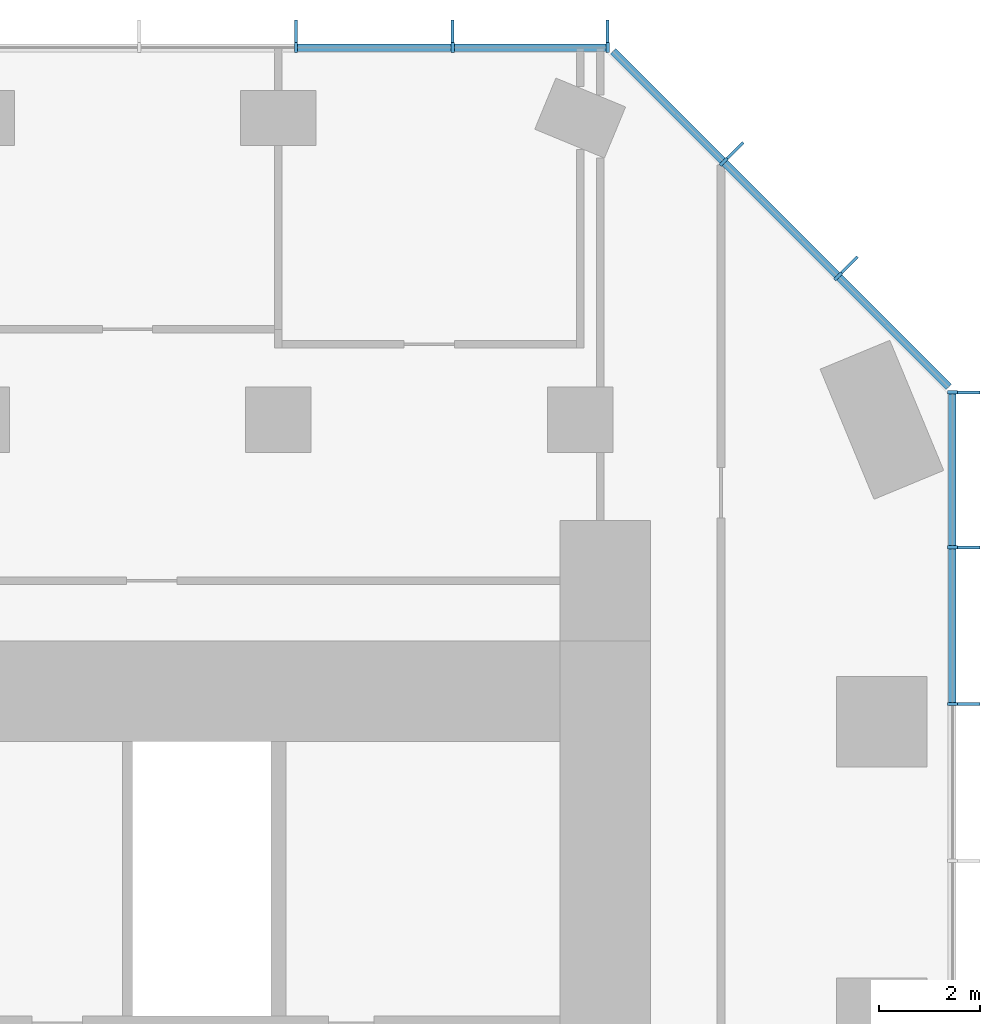
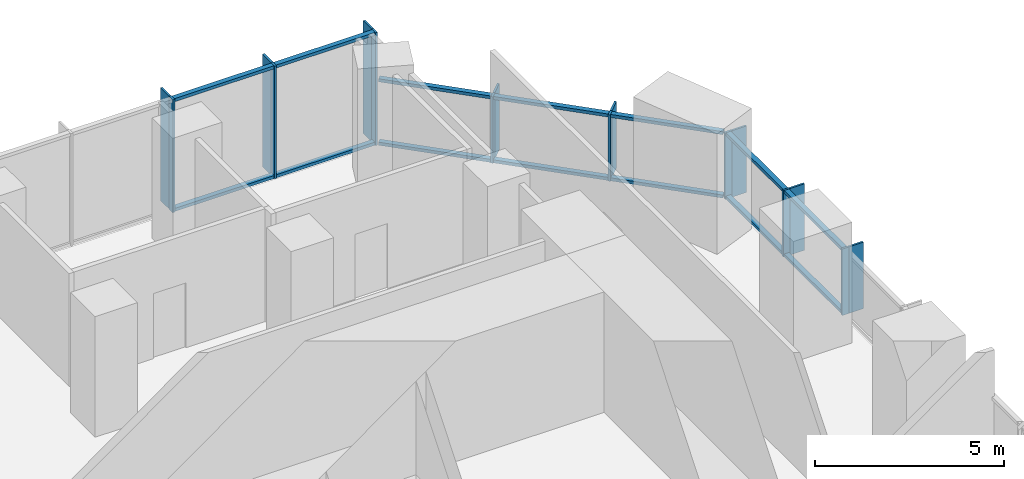
# One storey, part 6 of 11: 30 members, 3 elements without a shape of their own.
"""IFC4 building model written with IfcOpenShell, lengths in metres."""

from ifc_helpers import new_model, si_unit, direction, frame, origin, origin_2d, place, context, subcontext, project, spatial, rectangle, extrude, material, layer, layer_set, material_profile, profile_set, type_object, element, aggregate, save


model = new_model("IFC4")

# Units and contexts
model_context = context("Model", 3, precision=1e-05, world=origin(), true_north=direction((0.0, 1.0)))
body_context = subcontext(model_context, "Body", "Model", "MODEL_VIEW")
ifc_project = project(units=[si_unit("LENGTHUNIT", "METRE"), si_unit("AREAUNIT", "SQUARE_METRE"), si_unit("VOLUMEUNIT", "CUBIC_METRE"), si_unit("PLANEANGLEUNIT", "RADIAN"), si_unit("MASSUNIT", "GRAM", prefix="KILO")], contexts=[model_context])

# Site, building, storey
site_placement = place(None, origin())
site = spatial("IfcSite", under=ifc_project, at=site_placement, CompositionType="ELEMENT")
building_placement = place(site_placement, origin())
building = spatial("IfcBuilding", under=site, at=building_placement, Name="Highveld Stack Headquarters", CompositionType="ELEMENT")
storey_placement = place(building_placement, frame((0.0, 0.0, 235.699951171875)))
storey = spatial("IfcBuildingStorey", under=building, at=storey_placement, Name="L58", CompositionType="ELEMENT", Elevation=235.699951171875)

# Curtain wall, members
ifc_material_1 = material(Name="Aluminium bronze anodised", Category="aluminium")
ifc_layer_1 = layer(ifc_material_1, 0.199951171875)
ifc_layer_set_1 = layer_set([ifc_layer_1], Name="Aluminium bronze anodised")
curtain_wall_type_1 = type_object("IfcCurtainWallType", Name="CW1 TOWER UNITISED CURTAIN WALL", PredefinedType="NOTDEFINED", material=ifc_layer_set_1)
curtain_wall_1_placement = place(storey_placement, origin())
curtain_wall_1 = element("IfcCurtainWall", 1, at=curtain_wall_1_placement, inside=storey, type_object=curtain_wall_type_1, Name="Curtain wall CW1 L58 E", PredefinedType="NOTDEFINED")
ifc_material_2 = material(Name="Aluminium bronze anodised", Category="aluminium")
ifc_material_profile_1 = material_profile(ifc_material_2, rectangle(XDim=0.449951171875, YDim=0.06005859375, at=origin_2d()), Name="FIN 450x60")
ifc_profile_set_1 = profile_set([ifc_material_profile_1], Name="Aluminium bronze anodised")
member_type_1 = type_object("IfcMemberType", Name="CW1 BRONZE FIN 450x60", PredefinedType="USERDEFINED", material=ifc_profile_set_1)
member_1_placement = place(storey_placement, frame((25.72509765625, 12.347900390625, 0.0), z_axis=(0.0, 0.0, 1.0), x_axis=(-1.0, 0.0, 0.0)))
member_1 = element("IfcMember", 2, at=member_1_placement, type_object=member_type_1, Name="CW1 fin L58 9", ObjectType="FIN", PredefinedType="USERDEFINED", context=body_context, shape_type="SweptSolid", body=[
    extrude(rectangle(XDim=0.449951171875, YDim=0.06005859375, at=origin_2d()), origin(), (0.0, 0.0, 1.0), 2.150146484375),
])
member_2_placement = place(storey_placement, frame((25.72509765625, 15.4638671875, 0.0), z_axis=(0.0, 0.0, 1.0), x_axis=(-1.0, 0.0, 0.0)))
member_2 = element("IfcMember", 3, at=member_2_placement, type_object=member_type_1, Name="CW1 fin L58 10", ObjectType="FIN", PredefinedType="USERDEFINED", context=body_context, shape_type="SweptSolid", body=[
    extrude(rectangle(XDim=0.449951171875, YDim=0.06005859375, at=origin_2d()), origin(), (0.0, 0.0, 1.0), 2.150146484375),
])
member_3_placement = place(storey_placement, frame((25.72509765625, 18.54736328125, 0.0), z_axis=(0.0, 0.0, 1.0), x_axis=(-1.0, 0.0, 0.0)))
member_3 = element("IfcMember", 4, at=member_3_placement, type_object=member_type_1, Name="CW1 fin L58 11", ObjectType="FIN", PredefinedType="USERDEFINED", context=body_context, shape_type="SweptSolid", body=[
    extrude(rectangle(XDim=0.449951171875, YDim=0.06005859375, at=origin_2d()), origin(), (0.0, 0.0, 1.0), 2.150146484375),
])

curtain_wall_2_placement = place(storey_placement, origin())
curtain_wall_2 = element("IfcCurtainWall", 5, at=curtain_wall_2_placement, inside=storey, type_object=curtain_wall_type_1, Name="Curtain wall CW1 L58 N", PredefinedType="NOTDEFINED")
member_4_placement = place(storey_placement, frame((18.54736328125, 25.72509765625, 0.0), z_axis=(0.0, 0.0, 1.0), x_axis=(0.0, -1.0, 0.0)))
member_4 = element("IfcMember", 6, at=member_4_placement, type_object=member_type_1, Name="CW1 fin L58 1", ObjectType="FIN", PredefinedType="USERDEFINED", context=body_context, shape_type="SweptSolid", body=[
    extrude(rectangle(XDim=0.449951171875, YDim=0.06005859375, at=origin_2d()), origin(), (0.0, 0.0, 1.0), 3.650146484375),
])
member_5_placement = place(storey_placement, frame((15.4638671875, 25.72509765625, 0.0), z_axis=(0.0, 0.0, 1.0), x_axis=(0.0, -1.0, 0.0)))
member_5 = element("IfcMember", 7, at=member_5_placement, type_object=member_type_1, Name="CW1 fin L58 2", ObjectType="FIN", PredefinedType="USERDEFINED", context=body_context, shape_type="SweptSolid", body=[
    extrude(rectangle(XDim=0.449951171875, YDim=0.06005859375, at=origin_2d()), origin(), (0.0, 0.0, 1.0), 3.650146484375),
])
member_6_placement = place(storey_placement, frame((12.347900390625, 25.72509765625, 0.0), z_axis=(0.0, 0.0, 1.0), x_axis=(0.0, -1.0, 0.0)))
member_6 = element("IfcMember", 8, at=member_6_placement, type_object=member_type_1, Name="CW1 fin L58 3", ObjectType="FIN", PredefinedType="USERDEFINED", context=body_context, shape_type="SweptSolid", body=[
    extrude(rectangle(XDim=0.449951171875, YDim=0.06005859375, at=origin_2d()), origin(), (0.0, 0.0, 1.0), 3.650146484375),
])

# Member
ifc_material_3 = material(Name="Aluminium bronze anodised", Category="aluminium")
ifc_material_profile_2 = material_profile(ifc_material_3, rectangle(XDim=0.199951171875, YDim=0.06494140625, at=origin_2d()), Name="CW1 MULLION 65x200")
ifc_profile_set_2 = profile_set([ifc_material_profile_2], Name="Aluminium bronze anodised")
member_type_2 = type_object("IfcMemberType", Name="CW1 MULLION 65x200", PredefinedType="MULLION", material=ifc_profile_set_2)
member_7_placement = place(storey_placement, frame((25.39990234375, 12.347900390625, 0.0), z_axis=(0.0, 0.0, 1.0), x_axis=(-1.0, 0.0, 0.0)))
member_7 = element("IfcMember", 9, at=member_7_placement, type_object=member_type_2, Name="CW1 mullion L58 9", PredefinedType="MULLION", context=body_context, shape_type="SweptSolid", body=[
    extrude(rectangle(XDim=0.199951171875, YDim=0.06494140625, at=origin_2d()), origin(), (0.0, 0.0, 1.0), 2.150146484375),
])

member_8_placement = place(storey_placement, frame((25.39990234375, 15.4638671875, 0.0), z_axis=(0.0, 0.0, 1.0), x_axis=(-1.0, 0.0, 0.0)))
member_8 = element("IfcMember", 10, at=member_8_placement, type_object=member_type_2, Name="CW1 mullion L58 10", PredefinedType="MULLION", context=body_context, shape_type="SweptSolid", body=[
    extrude(rectangle(XDim=0.199951171875, YDim=0.06494140625, at=origin_2d()), origin(), (0.0, 0.0, 1.0), 2.150146484375),
])

member_9_placement = place(storey_placement, frame((25.39990234375, 18.54736328125, 0.0), z_axis=(0.0, 0.0, 1.0), x_axis=(-1.0, 0.0, 0.0)))
member_9 = element("IfcMember", 11, at=member_9_placement, type_object=member_type_2, Name="CW1 mullion L58 11", PredefinedType="MULLION", context=body_context, shape_type="SweptSolid", body=[
    extrude(rectangle(XDim=0.199951171875, YDim=0.06494140625, at=origin_2d()), origin(), (0.0, 0.0, 1.0), 2.150146484375),
])

member_10_placement = place(storey_placement, frame((18.54736328125, 25.39990234375, 0.0), z_axis=(0.0, 0.0, 1.0), x_axis=(0.0, -1.0, 0.0)))
member_10 = element("IfcMember", 12, at=member_10_placement, type_object=member_type_2, Name="CW1 mullion L58 1", PredefinedType="MULLION", context=body_context, shape_type="SweptSolid", body=[
    extrude(rectangle(XDim=0.199951171875, YDim=0.06494140625, at=origin_2d()), origin(), (0.0, 0.0, 1.0), 3.650146484375),
])

member_11_placement = place(storey_placement, frame((15.4638671875, 25.39990234375, 0.0), z_axis=(0.0, 0.0, 1.0), x_axis=(0.0, -1.0, 0.0)))
member_11 = element("IfcMember", 13, at=member_11_placement, type_object=member_type_2, Name="CW1 mullion L58 2", PredefinedType="MULLION", context=body_context, shape_type="SweptSolid", body=[
    extrude(rectangle(XDim=0.199951171875, YDim=0.06494140625, at=origin_2d()), origin(), (0.0, 0.0, 1.0), 3.650146484375),
])

member_12_placement = place(storey_placement, frame((12.347900390625, 25.39990234375, 0.0), z_axis=(0.0, 0.0, 1.0), x_axis=(0.0, -1.0, 0.0)))
member_12 = element("IfcMember", 14, at=member_12_placement, type_object=member_type_2, Name="CW1 mullion L58 3", PredefinedType="MULLION", context=body_context, shape_type="SweptSolid", body=[
    extrude(rectangle(XDim=0.199951171875, YDim=0.06494140625, at=origin_2d()), origin(), (0.0, 0.0, 1.0), 3.650146484375),
])

ifc_material_4 = material(Name="Aluminium bronze anodised", Category="aluminium")
ifc_material_profile_3 = material_profile(ifc_material_4, rectangle(XDim=0.14990234375, YDim=0.10009765625, at=origin_2d()), Name="CW1 TRANSOM 150x100")
ifc_profile_set_3 = profile_set([ifc_material_profile_3], Name="Aluminium bronze anodised")
member_type_3 = type_object("IfcMemberType", Name="CW1 STACK TRANSOM 150x100", PredefinedType="USERDEFINED", material=ifc_profile_set_3)
member_13_placement = place(storey_placement, frame((25.39990234375, 12.38037109375, 0.050048828125), z_axis=(0.0, 1.0, 0.0), x_axis=(-1.0, 0.0, 0.0)))
member_13 = element("IfcMember", 15, at=member_13_placement, type_object=member_type_3, Name="CW1 transom L58 9.1", ObjectType="TRANSOM", PredefinedType="USERDEFINED", context=body_context, shape_type="SweptSolid", body=[
    extrude(rectangle(XDim=0.14990234375, YDim=0.10009765625, at=origin_2d()), origin(), (0.0, 0.0, 1.0), 3.051025390625),
])

member_14_placement = place(storey_placement, frame((25.39990234375, 12.38037109375, 2.10009765625), z_axis=(0.0, 1.0, 0.0), x_axis=(-1.0, 0.0, 0.0)))
member_14 = element("IfcMember", 16, at=member_14_placement, type_object=member_type_3, Name="CW1 transom L58 9.2", ObjectType="TRANSOM", PredefinedType="USERDEFINED", context=body_context, shape_type="SweptSolid", body=[
    extrude(rectangle(XDim=0.14990234375, YDim=0.10009765625, at=origin_2d()), origin(), (0.0, 0.0, 1.0), 3.051025390625),
])

member_15_placement = place(storey_placement, frame((25.39990234375, 15.496337890625, 0.050048828125), z_axis=(0.0, 1.0, 0.0), x_axis=(-1.0, 0.0, 0.0)))
member_15 = element("IfcMember", 17, at=member_15_placement, type_object=member_type_3, Name="CW1 transom L58 10.1", ObjectType="TRANSOM", PredefinedType="USERDEFINED", context=body_context, shape_type="SweptSolid", body=[
    extrude(rectangle(XDim=0.14990234375, YDim=0.10009765625, at=origin_2d()), origin(), (0.0, 0.0, 1.0), 3.0185546875),
])

member_16_placement = place(storey_placement, frame((25.39990234375, 15.496337890625, 2.10009765625), z_axis=(0.0, 1.0, 0.0), x_axis=(-1.0, 0.0, 0.0)))
member_16 = element("IfcMember", 18, at=member_16_placement, type_object=member_type_3, Name="CW1 transom L58 10.2", ObjectType="TRANSOM", PredefinedType="USERDEFINED", context=body_context, shape_type="SweptSolid", body=[
    extrude(rectangle(XDim=0.14990234375, YDim=0.10009765625, at=origin_2d()), origin(), (0.0, 0.0, 1.0), 3.0185546875),
])

aggregate(curtain_wall_1, [member_7, member_1, member_8, member_2, member_9, member_3, member_13, member_14, member_15, member_16])

member_17_placement = place(storey_placement, frame((18.514892578125, 25.39990234375, 0.050048828125), z_axis=(-1.0, 0.0, 0.0), x_axis=(0.0, -1.0, 0.0)))
member_17 = element("IfcMember", 19, at=member_17_placement, type_object=member_type_3, Name="CW1 transom L58 1.1", ObjectType="TRANSOM", PredefinedType="USERDEFINED", context=body_context, shape_type="SweptSolid", body=[
    extrude(rectangle(XDim=0.14990234375, YDim=0.10009765625, at=origin_2d()), origin(), (0.0, 0.0, 1.0), 3.0185546875),
])

member_18_placement = place(storey_placement, frame((18.514892578125, 25.39990234375, 3.60009765625), z_axis=(-1.0, 0.0, 0.0), x_axis=(0.0, -1.0, 0.0)))
member_18 = element("IfcMember", 20, at=member_18_placement, type_object=member_type_3, Name="CW1 transom L58 1.2", ObjectType="TRANSOM", PredefinedType="USERDEFINED", context=body_context, shape_type="SweptSolid", body=[
    extrude(rectangle(XDim=0.14990234375, YDim=0.10009765625, at=origin_2d()), origin(), (0.0, 0.0, 1.0), 3.0185546875),
])

member_19_placement = place(storey_placement, frame((15.431396484375, 25.39990234375, 0.050048828125), z_axis=(-1.0, 0.0, 0.0), x_axis=(0.0, -1.0, 0.0)))
member_19 = element("IfcMember", 21, at=member_19_placement, type_object=member_type_3, Name="CW1 transom L58 2.1", ObjectType="TRANSOM", PredefinedType="USERDEFINED", context=body_context, shape_type="SweptSolid", body=[
    extrude(rectangle(XDim=0.14990234375, YDim=0.10009765625, at=origin_2d()), origin(), (0.0, 0.0, 1.0), 3.051025390625),
])

member_20_placement = place(storey_placement, frame((15.431396484375, 25.39990234375, 3.60009765625), z_axis=(-1.0, 0.0, 0.0), x_axis=(0.0, -1.0, 0.0)))
member_20 = element("IfcMember", 22, at=member_20_placement, type_object=member_type_3, Name="CW1 transom L58 2.2", ObjectType="TRANSOM", PredefinedType="USERDEFINED", context=body_context, shape_type="SweptSolid", body=[
    extrude(rectangle(XDim=0.14990234375, YDim=0.10009765625, at=origin_2d()), origin(), (0.0, 0.0, 1.0), 3.051025390625),
])

aggregate(curtain_wall_2, [member_10, member_4, member_11, member_5, member_12, member_6, member_17, member_18, member_19, member_20])

# Curtain wall, members
ifc_material_5 = material(Name="Aluminium bronze anodised", Category="aluminium")
ifc_layer_2 = layer(ifc_material_5, 0.199951171875)
ifc_layer_set_2 = layer_set([ifc_layer_2], Name="Aluminium bronze anodised")
curtain_wall_type_2 = type_object("IfcCurtainWallType", Name="CW2 TOWER CHAMFER UNITISED CURTAIN WALL", PredefinedType="NOTDEFINED", material=ifc_layer_set_2)
curtain_wall_3_placement = place(storey_placement, origin())
curtain_wall_3 = element("IfcCurtainWall", 23, at=curtain_wall_3_placement, inside=storey, type_object=curtain_wall_type_2, Name="Curtain wall CW2 L58 NE", PredefinedType="NOTDEFINED")
ifc_material_6 = material(Name="Aluminium bronze anodised", Category="aluminium")
ifc_material_profile_4 = material_profile(ifc_material_6, rectangle(XDim=0.449951171875, YDim=0.06005859375, at=origin_2d()), Name="FIN 450x60")
ifc_profile_set_4 = profile_set([ifc_material_profile_4], Name="Aluminium bronze anodised")
member_type_4 = type_object("IfcMemberType", Name="CW2 BRONZE FIN 450x60", PredefinedType="USERDEFINED", material=ifc_profile_set_4)
member_21_placement = place(storey_placement, frame((23.3564453125, 21.0830078125, 0.0), z_axis=(0.0, 0.0, 1.0), x_axis=(-0.707106781187, -0.707106781187, 0.0)))
member_21 = element("IfcMember", 24, at=member_21_placement, type_object=member_type_4, Name="CW2 fin L58 1", ObjectType="FIN", PredefinedType="USERDEFINED", context=body_context, shape_type="SweptSolid", body=[
    extrude(rectangle(XDim=0.449951171875, YDim=0.06005859375, at=origin_2d()), origin(), (0.0, 0.0, 1.0), 2.150146484375),
])
member_22_placement = place(storey_placement, frame((21.0830078125, 23.3564453125, 0.0), z_axis=(0.0, 0.0, 1.0), x_axis=(-0.707106781187, -0.707106781187, 0.0)))
member_22 = element("IfcMember", 25, at=member_22_placement, type_object=member_type_4, Name="CW2 fin L58 2", ObjectType="FIN", PredefinedType="USERDEFINED", context=body_context, shape_type="SweptSolid", body=[
    extrude(rectangle(XDim=0.449951171875, YDim=0.06005859375, at=origin_2d()), origin(), (0.0, 0.0, 1.0), 2.150146484375),
])
ifc_material_7 = material(Name="Aluminium bronze anodised", Category="aluminium")
ifc_material_profile_5 = material_profile(ifc_material_7, rectangle(XDim=0.199951171875, YDim=0.06494140625, at=origin_2d()), Name="CW2 MULLION 65x200")
ifc_profile_set_5 = profile_set([ifc_material_profile_5], Name="Aluminium bronze anodised")
member_type_5 = type_object("IfcMemberType", Name="CW2 MULLION 65x200", PredefinedType="MULLION", material=ifc_profile_set_5)
member_23_placement = place(storey_placement, frame((23.126708984375, 20.853271484375, 0.0), z_axis=(0.0, 0.0, 1.0), x_axis=(-0.707106781187, -0.707106781187, 0.0)))
member_23 = element("IfcMember", 26, at=member_23_placement, type_object=member_type_5, Name="CW2 mullion L58 1", PredefinedType="MULLION", context=body_context, shape_type="SweptSolid", body=[
    extrude(rectangle(XDim=0.199951171875, YDim=0.06494140625, at=origin_2d()), origin(), (0.0, 0.0, 1.0), 2.150146484375),
])
member_24_placement = place(storey_placement, frame((20.853271484375, 23.126708984375, 0.0), z_axis=(0.0, 0.0, 1.0), x_axis=(-0.707106781187, -0.707106781187, 0.0)))
member_24 = element("IfcMember", 27, at=member_24_placement, type_object=member_type_5, Name="CW2 mullion L58 2", PredefinedType="MULLION", context=body_context, shape_type="SweptSolid", body=[
    extrude(rectangle(XDim=0.199951171875, YDim=0.06494140625, at=origin_2d()), origin(), (0.0, 0.0, 1.0), 2.150146484375),
])
ifc_material_8 = material(Name="Aluminium bronze anodised", Category="aluminium")
ifc_material_profile_6 = material_profile(ifc_material_8, rectangle(XDim=0.14990234375, YDim=0.10009765625, at=origin_2d()), Name="CW2 TRANSOM 150x100")
ifc_profile_set_6 = profile_set([ifc_material_profile_6], Name="Aluminium bronze anodised")
member_type_6 = type_object("IfcMemberType", Name="CW2 STACK TRANSOM 150x100", PredefinedType="USERDEFINED", material=ifc_profile_set_6)
member_25_placement = place(storey_placement, frame((25.329345703125, 18.650634765625, 0.050048828125), z_axis=(-0.707106781187, 0.707106781187, 0.0), x_axis=(-0.707106781187, -0.707106781187, 0.0)))
member_25 = element("IfcMember", 28, at=member_25_placement, type_object=member_type_6, Name="CW2 transom L58 1.1", ObjectType="TRANSOM", PredefinedType="USERDEFINED", context=body_context, shape_type="SweptSolid", body=[
    extrude(rectangle(XDim=0.14990234375, YDim=0.10009765625, at=origin_2d()), origin(), (0.0, 0.0, 1.0), 3.08251953125),
])
member_26_placement = place(storey_placement, frame((25.329345703125, 18.650634765625, 2.10009765625), z_axis=(-0.707106781187, 0.707106781187, 0.0), x_axis=(-0.707106781187, -0.707106781187, 0.0)))
member_26 = element("IfcMember", 29, at=member_26_placement, type_object=member_type_6, Name="CW2 transom L58 1.2", ObjectType="TRANSOM", PredefinedType="USERDEFINED", context=body_context, shape_type="SweptSolid", body=[
    extrude(rectangle(XDim=0.14990234375, YDim=0.10009765625, at=origin_2d()), origin(), (0.0, 0.0, 1.0), 3.08251953125),
])
member_27_placement = place(storey_placement, frame((23.103759765625, 20.876220703125, 0.050048828125), z_axis=(-0.707106781187, 0.707106781187, 0.0), x_axis=(-0.707106781187, -0.707106781187, 0.0)))
member_27 = element("IfcMember", 30, at=member_27_placement, type_object=member_type_6, Name="CW2 transom L58 2.1", ObjectType="TRANSOM", PredefinedType="USERDEFINED", context=body_context, shape_type="SweptSolid", body=[
    extrude(rectangle(XDim=0.14990234375, YDim=0.10009765625, at=origin_2d()), origin(), (0.0, 0.0, 1.0), 3.150146484375),
])
member_28_placement = place(storey_placement, frame((23.103759765625, 20.876220703125, 2.10009765625), z_axis=(-0.707106781187, 0.707106781187, 0.0), x_axis=(-0.707106781187, -0.707106781187, 0.0)))
member_28 = element("IfcMember", 31, at=member_28_placement, type_object=member_type_6, Name="CW2 transom L58 2.2", ObjectType="TRANSOM", PredefinedType="USERDEFINED", context=body_context, shape_type="SweptSolid", body=[
    extrude(rectangle(XDim=0.14990234375, YDim=0.10009765625, at=origin_2d()), origin(), (0.0, 0.0, 1.0), 3.150146484375),
])
member_29_placement = place(storey_placement, frame((20.830322265625, 23.149658203125, 0.050048828125), z_axis=(-0.707106781187, 0.707106781187, 0.0), x_axis=(-0.707106781187, -0.707106781187, 0.0)))
member_29 = element("IfcMember", 32, at=member_29_placement, type_object=member_type_6, Name="CW2 transom L58 3.1", ObjectType="TRANSOM", PredefinedType="USERDEFINED", context=body_context, shape_type="SweptSolid", body=[
    extrude(rectangle(XDim=0.14990234375, YDim=0.10009765625, at=origin_2d()), origin(), (0.0, 0.0, 1.0), 3.08251953125),
])
member_30_placement = place(storey_placement, frame((20.830322265625, 23.149658203125, 2.10009765625), z_axis=(-0.707106781187, 0.707106781187, 0.0), x_axis=(-0.707106781187, -0.707106781187, 0.0)))
member_30 = element("IfcMember", 33, at=member_30_placement, type_object=member_type_6, Name="CW2 transom L58 3.2", ObjectType="TRANSOM", PredefinedType="USERDEFINED", context=body_context, shape_type="SweptSolid", body=[
    extrude(rectangle(XDim=0.14990234375, YDim=0.10009765625, at=origin_2d()), origin(), (0.0, 0.0, 1.0), 3.08251953125),
])
aggregate(curtain_wall_3, [member_23, member_21, member_24, member_22, member_25, member_26, member_27, member_28, member_29, member_30])

save(model, "model.ifc")
